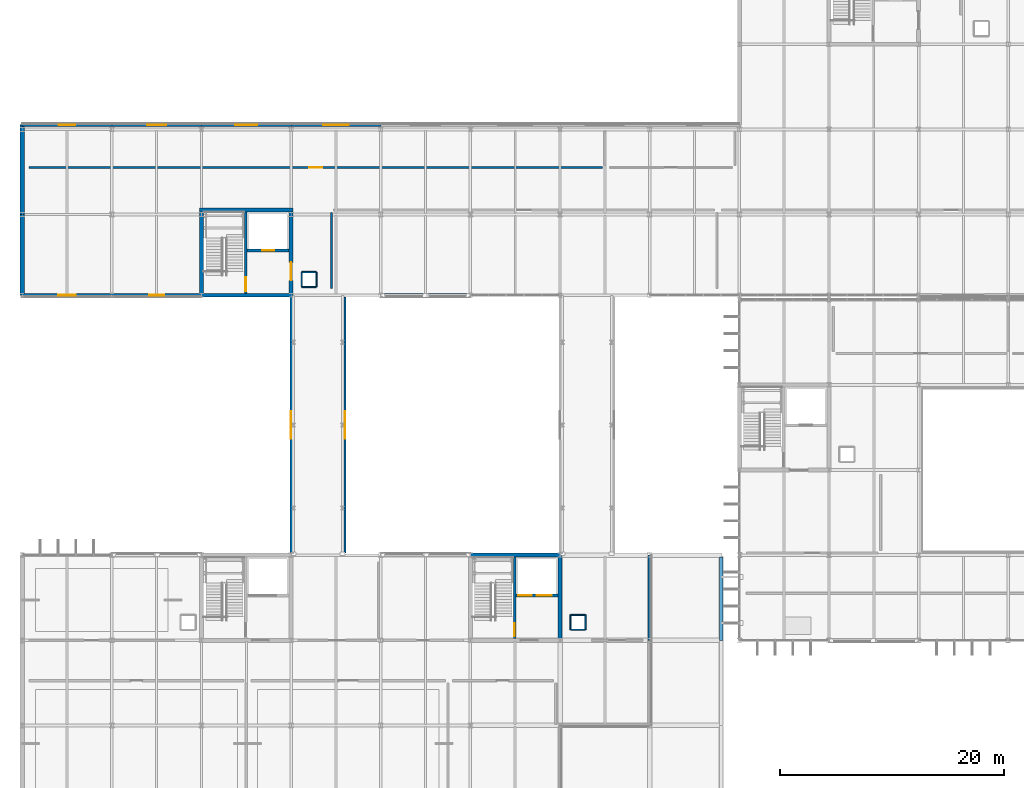
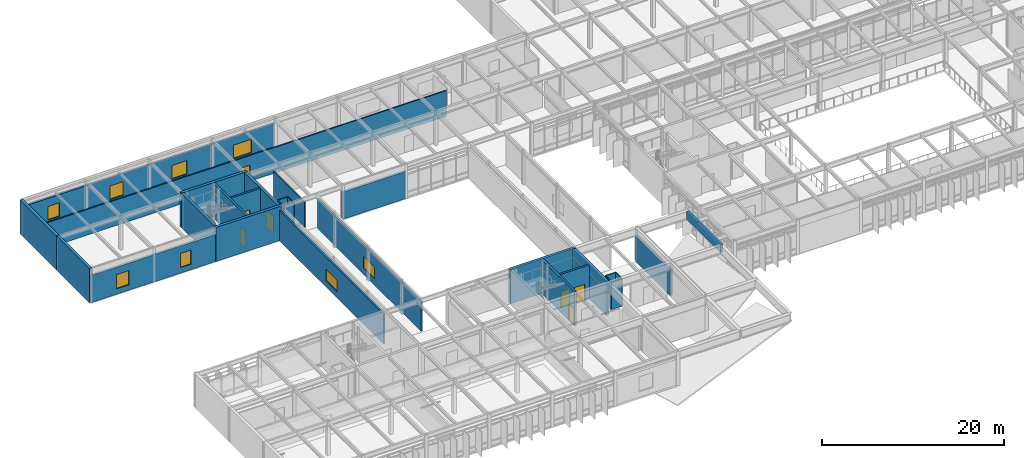
# One storey, part 80 of 104: 33 walls, 8 windows, 7 doors, 15 openings.
"""IFC4 building model written with IfcOpenShell, lengths in metres."""

from ifc_helpers import new_model, si_unit, direction, frame, frame_2d, origin, place, context, subcontext, project, spatial, rectangle, extrude, material, layer, layer_set, type_object, element, fill, save


model = new_model("IFC4")

# Units and contexts
model_context = context("Model", 3, precision=1e-05, world=origin(), true_north=direction((0.0, 1.0)))
body_context = subcontext(model_context, "Body", "Model", "MODEL_VIEW")
ifc_project = project(units=[si_unit("LENGTHUNIT", "METRE"), si_unit("AREAUNIT", "SQUARE_METRE"), si_unit("VOLUMEUNIT", "CUBIC_METRE"), si_unit("PLANEANGLEUNIT", "RADIAN"), si_unit("MASSUNIT", "GRAM", prefix="KILO")], contexts=[model_context])

# Site, building, storey
site_placement = place(None, origin())
site = spatial("IfcSite", under=ifc_project, at=site_placement, CompositionType="ELEMENT")
building_placement = place(site_placement, origin())
building = spatial("IfcBuilding", under=site, at=building_placement, Name="Zulena Civic Courthouse", CompositionType="ELEMENT")
storey_placement = place(building_placement, frame((0.0, 0.0, 10.800048828125)))
storey = spatial("IfcBuildingStorey", under=building, at=storey_placement, Name="L02", CompositionType="ELEMENT", Elevation=10.800048828125)

# Wall, opening, window
ifc_material_1 = material(Name="Travertine-cream architectural precast concrete C40/50", Category="masonry")
ifc_layer_1 = layer(ifc_material_1, 0.205078125)
ifc_layer_set_1 = layer_set([ifc_layer_1], Name="Travertine-cream architectural precast concrete C40/50")
wall_type_1 = type_object("IfcWallType", Name="BridgeWall_GlazedScreen_205", PredefinedType="STANDARD", material=ifc_layer_set_1)
wall_1_placement = place(storey_placement, frame((28.0, 22.97998046875, 0.0), z_axis=(0.0, 0.0, 1.0), x_axis=(0.0, 1.0, 0.0)))
wall_1 = element("IfcWall", 1, at=wall_1_placement, inside=storey, type_object=wall_type_1, Name="ewall:bridge:BR-52J:L02:W", PredefinedType="STANDARD", context=body_context, shape_type="SweptSolid", body=[
    extrude(rectangle(XDim=22.840087890625, YDim=0.205078125, at=frame_2d((11.419921875, 0.0))), origin(), (0.0, 0.0, 1.0), 4.02001953125),
])
opening_1_placement = place(wall_1_placement, frame((10.195068359375, 0.0, 0.85009765625)))
opening_1 = element("IfcOpeningElement", 2, at=opening_1_placement, cuts=wall_1, Name="Opening WN27", PredefinedType="OPENING", context=body_context, shape_type="SweptSolid", body=[
    extrude(rectangle(XDim=2.449951171875, YDim=1.550048828125, at=frame_2d((1.22509765625, 0.77490234375))), frame((0.0, 0.112548828125, 0.0), z_axis=(0.0, -1.0, 0.0), x_axis=(1.0, 0.0, 0.0)), (0.0, 0.0, 1.0), 0.22509765625),
])
ifc_material_2 = material(Name="Double-silver low-E laminated solar-control glass", Category="glass")
window_type_1 = type_object("IfcWindowType", Name="Win_2450x1550", PartitioningType="DOUBLE_PANEL_VERTICAL", PredefinedType="WINDOW", material=ifc_material_2)
window_1_placement = place(opening_1_placement, origin())
window_1 = element("IfcWindow", 3, at=window_1_placement, inside=storey, type_object=window_type_1, Name="win:bridge:BR-52J:L02:W", OverallHeight=1.550048828125, OverallWidth=2.449951171875, PartitioningType="SINGLE_PANEL", PredefinedType="WINDOW", context=body_context, shape_type="SweptSolid", body=[
    extrude(rectangle(XDim=2.449951171875, YDim=1.550048828125, at=frame_2d((1.22509765625, 0.77490234375))), frame((0.0, 0.030029296875, 0.0), z_axis=(0.0, -1.0, 0.0), x_axis=(1.0, 0.0, 0.0)), (0.0, 0.0, 1.0), 0.06005859375),
])
fill(opening_1, window_1)

wall_2_placement = place(storey_placement, frame((32.800048828125, 45.820068359375, 0.0), z_axis=(0.0, 0.0, 1.0), x_axis=(0.0, -1.0, 0.0)))
wall_2 = element("IfcWall", 4, at=wall_2_placement, inside=storey, type_object=wall_type_1, Name="ewall:bridge:BR-52J:L02:E", PredefinedType="STANDARD", context=body_context, shape_type="SweptSolid", body=[
    extrude(rectangle(XDim=22.840087890625, YDim=0.205078125, at=frame_2d((11.419921875, 0.0))), origin(), (0.0, 0.0, 1.0), 4.02001953125),
])
opening_2_placement = place(wall_2_placement, frame((10.195068359375, 0.0, 0.85009765625)))
opening_2 = element("IfcOpeningElement", 5, at=opening_2_placement, cuts=wall_2, Name="Opening WN27", PredefinedType="OPENING", context=body_context, shape_type="SweptSolid", body=[
    extrude(rectangle(XDim=2.449951171875, YDim=1.550048828125, at=frame_2d((1.22509765625, 0.77490234375))), frame((0.0, 0.112548828125, 0.0), z_axis=(0.0, -1.0, 0.0), x_axis=(1.0, 0.0, 0.0)), (0.0, 0.0, 1.0), 0.22509765625),
])
window_2_placement = place(opening_2_placement, origin())
window_2 = element("IfcWindow", 6, at=window_2_placement, inside=storey, type_object=window_type_1, Name="win:bridge:BR-52J:L02:E", OverallHeight=1.550048828125, OverallWidth=2.449951171875, PartitioningType="SINGLE_PANEL", PredefinedType="WINDOW", context=body_context, shape_type="SweptSolid", body=[
    extrude(rectangle(XDim=2.449951171875, YDim=1.550048828125, at=frame_2d((1.22509765625, 0.77490234375))), frame((0.0, 0.030029296875, 0.0), z_axis=(0.0, -1.0, 0.0), x_axis=(1.0, 0.0, 0.0)), (0.0, 0.0, 1.0), 0.06005859375),
])
fill(opening_2, window_2)

# Wall, opening, door
ifc_material_3 = material(Name="Concrete C40/50", Category="concrete")
ifc_layer_2 = layer(ifc_material_3, 0.25)
ifc_layer_set_2 = layer_set([ifc_layer_2], Name="Concrete C40/50")
wall_type_2 = type_object("IfcWallType", Name="CoreShearWall_RC250", PredefinedType="SHEAR", material=ifc_layer_set_2)
wall_3_placement = place(storey_placement, frame((47.949951171875, 15.375, 0.0), z_axis=(0.0, 0.0, 1.0), x_axis=(0.0, 1.0, 0.0)))
wall_3 = element("IfcWall", 7, at=wall_3_placement, inside=storey, type_object=wall_type_2, Name="cwall:K2B:L02:DIV", PredefinedType="SHEAR", context=body_context, shape_type="SweptSolid", body=[
    extrude(rectangle(XDim=7.25, YDim=0.25, at=frame_2d((3.625, 0.0))), origin(), (0.0, 0.0, 1.0), 4.58984375),
])
opening_3_placement = place(wall_3_placement, frame((0.179931640625, 0.0, 0.0)))
opening_3 = element("IfcOpeningElement", 8, at=opening_3_placement, cuts=wall_3, Name="Opening ID08", PredefinedType="OPENING", context=body_context, shape_type="SweptSolid", body=[
    extrude(rectangle(XDim=1.14990234375, YDim=2.199951171875, at=frame_2d((0.574951171875, 1.10009765625))), frame((0.0, 0.135009765625, 0.0), z_axis=(0.0, -1.0, 0.0), x_axis=(1.0, 0.0, 0.0)), (0.0, 0.0, 1.0), 0.27001953125),
])
ifc_material_4 = material(Name="Fire-rated galvanised steel ASTM A653 Grade 50", Category="steel")
door_type_1 = type_object("IfcDoorType", Name="IntDoor_Stair_1150x2200", OperationType="NOTDEFINED", PredefinedType="DOOR", material=ifc_material_4)
door_1_placement = place(opening_3_placement, origin())
door_1 = element("IfcDoor", 9, at=door_1_placement, inside=storey, type_object=door_type_1, Name="door:stair:K2B:L02", OperationType="SINGLE_SWING_LEFT", OverallHeight=2.199951171875, OverallWidth=1.14990234375, PredefinedType="DOOR", context=body_context, shape_type="SweptSolid", body=[
    extrude(rectangle(XDim=1.14990234375, YDim=2.199951171875, at=frame_2d((0.574951171875, 1.10009765625))), frame((0.0, 0.02490234375, 0.0), z_axis=(0.0, -1.0, 0.0), x_axis=(1.0, 0.0, 0.0)), (0.0, 0.0, 1.0), 0.050048828125),
])
fill(opening_3, door_1)

# Wall, openings, doors
wall_4_placement = place(storey_placement, frame((48.074951171875, 19.199951171875, 0.0), z_axis=(0.0, 0.0, 1.0), x_axis=(1.0, 0.0, 0.0)))
wall_4 = element("IfcWall", 10, at=wall_4_placement, inside=storey, type_object=wall_type_2, Name="cwall:K2B:L02:SHF", PredefinedType="SHEAR", context=body_context, shape_type="SweptSolid", body=[
    extrude(rectangle(XDim=3.75, YDim=0.25, at=frame_2d((1.875, 0.0))), origin(), (0.0, 0.0, 1.0), 4.58984375),
])
opening_4_placement = place(wall_4_placement, frame((0.179931640625, 0.0, 0.0)))
opening_4 = element("IfcOpeningElement", 11, at=opening_4_placement, cuts=wall_4, Name="Opening LD01", PredefinedType="OPENING", context=body_context, shape_type="SweptSolid", body=[
    extrude(rectangle(XDim=1.199951171875, YDim=2.199951171875, at=frame_2d((0.60009765625, 1.10009765625))), frame((0.0, 0.135009765625, 0.0), z_axis=(0.0, -1.0, 0.0), x_axis=(1.0, 0.0, 0.0)), (0.0, 0.0, 1.0), 0.27001953125),
])
opening_5_placement = place(wall_4_placement, frame((1.85009765625, 0.0, 0.0)))
opening_5 = element("IfcOpeningElement", 12, at=opening_5_placement, cuts=wall_4, Name="Opening LD04", PredefinedType="OPENING", context=body_context, shape_type="SweptSolid", body=[
    extrude(rectangle(XDim=1.35009765625, YDim=2.199951171875, at=frame_2d((0.675048828125, 1.10009765625))), frame((0.0, 0.135009765625, 0.0), z_axis=(0.0, -1.0, 0.0), x_axis=(1.0, 0.0, 0.0)), (0.0, 0.0, 1.0), 0.27001953125),
])
door_type_2 = type_object("IfcDoorType", Name="LiftLandingDoor_FF_1200x2200", OperationType="SLIDING_TO_LEFT", PredefinedType="DOOR", material=ifc_material_4)
door_2_placement = place(opening_4_placement, origin())
door_2 = element("IfcDoor", 13, at=door_2_placement, inside=storey, type_object=door_type_2, Name="door:ld:FL-02:L02", OperationType="SLIDING_TO_LEFT", OverallHeight=2.199951171875, OverallWidth=1.199951171875, PredefinedType="DOOR", context=body_context, shape_type="SweptSolid", body=[
    extrude(rectangle(XDim=1.199951171875, YDim=2.199951171875, at=frame_2d((0.60009765625, 1.10009765625))), frame((0.0, 0.02490234375, 0.0), z_axis=(0.0, -1.0, 0.0), x_axis=(1.0, 0.0, 0.0)), (0.0, 0.0, 1.0), 0.050048828125),
])
fill(opening_4, door_2)
door_type_3 = type_object("IfcDoorType", Name="LiftLandingDoor_Goods_1350x2300", OperationType="DOUBLE_DOOR_SLIDING", PredefinedType="DOOR", material=ifc_material_4)
door_3_placement = place(opening_5_placement, origin())
door_3 = element("IfcDoor", 14, at=door_3_placement, inside=storey, type_object=door_type_3, Name="door:ld:CL-01:L02", OperationType="DOUBLE_DOOR_SLIDING", OverallHeight=2.199951171875, OverallWidth=1.35009765625, PredefinedType="DOOR", context=body_context, shape_type="SweptSolid", body=[
    extrude(rectangle(XDim=1.35009765625, YDim=2.199951171875, at=frame_2d((0.675048828125, 1.10009765625))), frame((0.0, 0.02490234375, 0.0), z_axis=(0.0, -1.0, 0.0), x_axis=(1.0, 0.0, 0.0)), (0.0, 0.0, 1.0), 0.050048828125),
])
fill(opening_5, door_3)

# Wall, opening, door
wall_5_placement = place(storey_placement, frame((23.949951171875, 46.175048828125, 0.0), z_axis=(0.0, 0.0, 1.0), x_axis=(0.0, 1.0, 0.0)))
wall_5 = element("IfcWall", 15, at=wall_5_placement, inside=storey, type_object=wall_type_2, Name="cwall:K5A:L02:DIV", PredefinedType="SHEAR", context=body_context, shape_type="SweptSolid", body=[
    extrude(rectangle(XDim=7.25, YDim=0.25, at=frame_2d((3.625, 0.0))), origin(), (0.0, 0.0, 1.0), 4.58984375),
])
opening_6_placement = place(wall_5_placement, frame((0.179931640625, 0.0, 0.0)))
opening_6 = element("IfcOpeningElement", 16, at=opening_6_placement, cuts=wall_5, Name="Opening ID06", PredefinedType="OPENING", context=body_context, shape_type="SweptSolid", body=[
    extrude(rectangle(XDim=1.25, YDim=2.199951171875, at=frame_2d((0.625, 1.10009765625))), frame((0.0, 0.135009765625, 0.0), z_axis=(0.0, -1.0, 0.0), x_axis=(1.0, 0.0, 0.0)), (0.0, 0.0, 1.0), 0.27001953125),
])
door_type_4 = type_object("IfcDoorType", Name="IntDoor_Stair_1250x2200", OperationType="NOTDEFINED", PredefinedType="DOOR", material=ifc_material_4)
door_4_placement = place(opening_6_placement, origin())
door_4 = element("IfcDoor", 17, at=door_4_placement, inside=storey, type_object=door_type_4, Name="door:stair:K5A:L02", OperationType="SINGLE_SWING_RIGHT", OverallHeight=2.199951171875, OverallWidth=1.25, PredefinedType="DOOR", context=body_context, shape_type="SweptSolid", body=[
    extrude(rectangle(XDim=1.25, YDim=2.199951171875, at=frame_2d((0.625, 1.10009765625))), frame((0.0, 0.02490234375, 0.0), z_axis=(0.0, -1.0, 0.0), x_axis=(1.0, 0.0, 0.0)), (0.0, 0.0, 1.0), 0.050048828125),
])
fill(opening_6, door_4)

wall_6_placement = place(storey_placement, frame((24.074951171875, 50.0, 0.0), z_axis=(0.0, 0.0, 1.0), x_axis=(1.0, 0.0, 0.0)))
wall_6 = element("IfcWall", 18, at=wall_6_placement, inside=storey, type_object=wall_type_2, Name="cwall:K5A:L02:SHF", PredefinedType="SHEAR", context=body_context, shape_type="SweptSolid", body=[
    extrude(rectangle(XDim=3.75, YDim=0.25, at=frame_2d((1.875, 0.0))), origin(), (0.0, 0.0, 1.0), 4.58984375),
])
opening_7_placement = place(wall_6_placement, frame((1.344970703125, 0.0, 0.0)))
opening_7 = element("IfcOpeningElement", 19, at=opening_7_placement, cuts=wall_6, Name="Opening LD03", PredefinedType="OPENING", context=body_context, shape_type="SweptSolid", body=[
    extrude(rectangle(XDim=1.050048828125, YDim=2.199951171875, at=frame_2d((0.52490234375, 1.10009765625))), frame((0.0, 0.135009765625, 0.0), z_axis=(0.0, -1.0, 0.0), x_axis=(1.0, 0.0, 0.0)), (0.0, 0.0, 1.0), 0.27001953125),
])
door_type_5 = type_object("IfcDoorType", Name="LiftLandingDoor_Jud_1050x2200", OperationType="SLIDING_TO_RIGHT", PredefinedType="DOOR", material=ifc_material_4)
door_5_placement = place(opening_7_placement, origin())
door_5 = element("IfcDoor", 20, at=door_5_placement, inside=storey, type_object=door_type_5, Name="door:ld:JL-02:L02", OperationType="SLIDING_TO_RIGHT", OverallHeight=2.199951171875, OverallWidth=1.050048828125, PredefinedType="DOOR", context=body_context, shape_type="SweptSolid", body=[
    extrude(rectangle(XDim=1.050048828125, YDim=2.199951171875, at=frame_2d((0.52490234375, 1.10009765625))), frame((0.0, 0.02490234375, 0.0), z_axis=(0.0, -1.0, 0.0), x_axis=(1.0, 0.0, 0.0)), (0.0, 0.0, 1.0), 0.050048828125),
])
fill(opening_7, door_5)

# Walls
ifc_layer_3 = layer(ifc_material_3, 0.35009765625)
ifc_layer_set_3 = layer_set([ifc_layer_3], Name="Concrete C40/50")
wall_type_3 = type_object("IfcWallType", Name="CoreShearWall_RC350", PredefinedType="SHEAR", material=ifc_layer_set_3)
wall_7_placement = place(storey_placement, frame((43.824951171875, 22.800048828125, 0.0), z_axis=(0.0, 0.0, 1.0), x_axis=(1.0, 0.0, 0.0)))
element("IfcWall", 21, at=wall_7_placement, inside=storey, type_object=wall_type_3, Name="cwall:K2B:L02:N", PredefinedType="SHEAR", context=body_context, shape_type="SweptSolid", body=[
    extrude(rectangle(XDim=8.35009765625, YDim=0.35009765625, at=frame_2d((4.175048828125, 0.0))), origin(), (0.0, 0.0, 1.0), 4.58984375),
])
wall_8_placement = place(storey_placement, frame((52.0, 15.375, 0.0), z_axis=(0.0, 0.0, 1.0), x_axis=(0.0, 1.0, 0.0)))
element("IfcWall", 22, at=wall_8_placement, inside=storey, type_object=wall_type_3, Name="cwall:K2B:L02:E", PredefinedType="SHEAR", context=body_context, shape_type="SweptSolid", body=[
    extrude(rectangle(XDim=7.25, YDim=0.35009765625, at=frame_2d((3.625, 0.0))), origin(), (0.0, 0.0, 1.0), 4.58984375),
])
for number, where, z_axis, x_axis, name in (
    (23, (19.824951171875, 46.0, 0.0), (0.0, 0.0, 1.0), (1.0, 0.0, 0.0), "cwall:K5A:L02:S"),
    (24, (19.824951171875, 53.60009765625, 0.0), (0.0, 0.0, 1.0), (1.0, 0.0, 0.0), "cwall:K5A:L02:N"),
):
    element("IfcWall", number, at=place(storey_placement, frame(where, z_axis=z_axis, x_axis=x_axis)), inside=storey, type_object=wall_type_3, Name=name, PredefinedType="SHEAR", context=body_context, shape_type="SweptSolid", body=[
        extrude(rectangle(XDim=8.35009765625, YDim=0.35009765625, at=frame_2d((4.175048828125, 0.0))), origin(), (0.0, 0.0, 1.0), 4.58984375),
    ])
wall_9_placement = place(storey_placement, frame((20.0, 46.175048828125, 0.0), z_axis=(0.0, 0.0, 1.0), x_axis=(0.0, 1.0, 0.0)))
element("IfcWall", 25, at=wall_9_placement, inside=storey, type_object=wall_type_3, Name="cwall:K5A:L02:W", PredefinedType="SHEAR", context=body_context, shape_type="SweptSolid", body=[
    extrude(rectangle(XDim=7.25, YDim=0.35009765625, at=frame_2d((3.625, 0.0))), origin(), (0.0, 0.0, 1.0), 4.58984375),
])

# Wall, opening, door
wall_10_placement = place(storey_placement, frame((28.0, 46.175048828125, 0.0), z_axis=(0.0, 0.0, 1.0), x_axis=(0.0, 1.0, 0.0)))
wall_10 = element("IfcWall", 26, at=wall_10_placement, inside=storey, type_object=wall_type_3, Name="cwall:K5A:L02:E", PredefinedType="SHEAR", context=body_context, shape_type="SweptSolid", body=[
    extrude(rectangle(XDim=7.25, YDim=0.35009765625, at=frame_2d((3.625, 0.0))), origin(), (0.0, 0.0, 1.0), 4.58984375),
])
opening_8_placement = place(wall_10_placement, frame((1.14990234375, 0.0, 0.0)))
opening_8 = element("IfcOpeningElement", 27, at=opening_8_placement, cuts=wall_10, Name="Opening ID04", PredefinedType="OPENING", context=body_context, shape_type="SweptSolid", body=[
    extrude(rectangle(XDim=1.60009765625, YDim=2.35009765625, at=frame_2d((0.800048828125, 1.175048828125))), frame((0.0, 0.18505859375, 0.0), z_axis=(0.0, -1.0, 0.0), x_axis=(1.0, 0.0, 0.0)), (0.0, 0.0, 1.0), 0.3701171875),
])
ifc_material_5 = material(Name="Solid-core acoustic hardwood timber", Category="wood")
door_type_6 = type_object("IfcDoorType", Name="IntDoor_CourtPublic_1600x2350", OperationType="DOUBLE_DOOR_SINGLE_SWING", PredefinedType="DOOR", material=ifc_material_5)
door_6_placement = place(opening_8_placement, origin())
door_6 = element("IfcDoor", 28, at=door_6_placement, inside=storey, type_object=door_type_6, Name="door:corelob:K5A:L02", OperationType="DOUBLE_DOOR_SINGLE_SWING", OverallHeight=2.35009765625, OverallWidth=1.60009765625, PredefinedType="DOOR", context=body_context, shape_type="SweptSolid", body=[
    extrude(rectangle(XDim=1.60009765625, YDim=2.35009765625, at=frame_2d((0.800048828125, 1.175048828125))), frame((0.0, 0.02490234375, 0.0), z_axis=(0.0, -1.0, 0.0), x_axis=(1.0, 0.0, 0.0)), (0.0, 0.0, 1.0), 0.050048828125),
])
fill(opening_8, door_6)

# Wall, opening, window
ifc_material_6 = material(Name="Buff architectural precast concrete C40/50", Category="concrete")
ifc_layer_4 = layer(ifc_material_6, 0.264892578125)
ifc_layer_set_4 = layer_set([ifc_layer_4], Name="Buff architectural precast concrete C40/50")
wall_type_4 = type_object("IfcWallType", Name="ExtWall_BuffPrecast_265", PredefinedType="STANDARD", material=ifc_layer_set_4)
wall_11_placement = place(storey_placement, frame((3.97998046875, 61.199951171875, 0.0), z_axis=(0.0, 0.0, 1.0), x_axis=(1.0, 0.0, 0.0)))
wall_11 = element("IfcWall", 29, at=wall_11_placement, inside=storey, type_object=wall_type_4, Name="ewall:V5:L02:1:0", PredefinedType="STANDARD", context=body_context, shape_type="SweptSolid", body=[
    extrude(rectangle(XDim=8.0400390625, YDim=0.264892578125, at=frame_2d((4.02001953125, 0.0))), origin(), (0.0, 0.0, 1.0), 3.659912109375),
])
opening_9_placement = place(wall_11_placement, frame((3.294921875, 0.0, 0.75)))
opening_9 = element("IfcOpeningElement", 30, at=opening_9_placement, cuts=wall_11, Name="Opening WN17", PredefinedType="OPENING", context=body_context, shape_type="SweptSolid", body=[
    extrude(rectangle(XDim=1.449951171875, YDim=1.800048828125, at=frame_2d((0.72509765625, 0.89990234375))), frame((0.0, 0.142333984375, 0.0), z_axis=(0.0, -1.0, 0.0), x_axis=(1.0, 0.0, 0.0)), (0.0, 0.0, 1.0), 0.284912109375),
])
window_type_2 = type_object("IfcWindowType", Name="Win_1450x1800", PartitioningType="SINGLE_PANEL", PredefinedType="WINDOW", material=ifc_material_2)
window_3_placement = place(opening_9_placement, origin())
window_3 = element("IfcWindow", 31, at=window_3_placement, inside=storey, type_object=window_type_2, Name="win:V5:L02:1:0", OverallHeight=1.800048828125, OverallWidth=1.449951171875, PartitioningType="SINGLE_PANEL", PredefinedType="WINDOW", context=body_context, shape_type="SweptSolid", body=[
    extrude(rectangle(XDim=1.449951171875, YDim=1.800048828125, at=frame_2d((0.72509765625, 0.89990234375))), frame((0.0, 0.030029296875, 0.0), z_axis=(0.0, -1.0, 0.0), x_axis=(1.0, 0.0, 0.0)), (0.0, 0.0, 1.0), 0.06005859375),
])
fill(opening_9, window_3)

wall_12_placement = place(storey_placement, frame((11.97998046875, 61.199951171875, 0.0), z_axis=(0.0, 0.0, 1.0), x_axis=(1.0, 0.0, 0.0)))
wall_12 = element("IfcWall", 32, at=wall_12_placement, inside=storey, type_object=wall_type_4, Name="ewall:V5:L02:1:1", PredefinedType="STANDARD", context=body_context, shape_type="SweptSolid", body=[
    extrude(rectangle(XDim=8.0400390625, YDim=0.264892578125, at=frame_2d((4.02001953125, 0.0))), origin(), (0.0, 0.0, 1.0), 3.659912109375),
])
opening_10_placement = place(wall_12_placement, frame((3.169921875, 0.0, 0.75)))
opening_10 = element("IfcOpeningElement", 33, at=opening_10_placement, cuts=wall_12, Name="Opening WN18", PredefinedType="OPENING", context=body_context, shape_type="SweptSolid", body=[
    extrude(rectangle(XDim=1.699951171875, YDim=1.800048828125, at=frame_2d((0.85009765625, 0.89990234375))), frame((0.0, 0.142333984375, 0.0), z_axis=(0.0, -1.0, 0.0), x_axis=(1.0, 0.0, 0.0)), (0.0, 0.0, 1.0), 0.284912109375),
])
window_type_3 = type_object("IfcWindowType", Name="Win_1700x1800", PartitioningType="SINGLE_PANEL", PredefinedType="WINDOW", material=ifc_material_2)
window_4_placement = place(opening_10_placement, origin())
window_4 = element("IfcWindow", 34, at=window_4_placement, inside=storey, type_object=window_type_3, Name="win:V5:L02:1:1", OverallHeight=1.800048828125, OverallWidth=1.699951171875, PartitioningType="SINGLE_PANEL", PredefinedType="WINDOW", context=body_context, shape_type="SweptSolid", body=[
    extrude(rectangle(XDim=1.699951171875, YDim=1.800048828125, at=frame_2d((0.85009765625, 0.89990234375))), frame((0.0, 0.030029296875, 0.0), z_axis=(0.0, -1.0, 0.0), x_axis=(1.0, 0.0, 0.0)), (0.0, 0.0, 1.0), 0.06005859375),
])
fill(opening_10, window_4)

wall_13_placement = place(storey_placement, frame((19.97998046875, 61.199951171875, 0.0), z_axis=(0.0, 0.0, 1.0), x_axis=(1.0, 0.0, 0.0)))
wall_13 = element("IfcWall", 35, at=wall_13_placement, inside=storey, type_object=wall_type_4, Name="ewall:V5:L02:1:2", PredefinedType="STANDARD", context=body_context, shape_type="SweptSolid", body=[
    extrude(rectangle(XDim=8.0400390625, YDim=0.264892578125, at=frame_2d((4.02001953125, 0.0))), origin(), (0.0, 0.0, 1.0), 3.659912109375),
])
opening_11_placement = place(wall_13_placement, frame((3.044921875, 0.0, 0.75)))
opening_11 = element("IfcOpeningElement", 36, at=opening_11_placement, cuts=wall_13, Name="Opening WN19", PredefinedType="OPENING", context=body_context, shape_type="SweptSolid", body=[
    extrude(rectangle(XDim=1.949951171875, YDim=1.800048828125, at=frame_2d((0.97509765625, 0.89990234375))), frame((0.0, 0.142333984375, 0.0), z_axis=(0.0, -1.0, 0.0), x_axis=(1.0, 0.0, 0.0)), (0.0, 0.0, 1.0), 0.284912109375),
])
window_type_4 = type_object("IfcWindowType", Name="Win_1950x1800", PartitioningType="DOUBLE_PANEL_VERTICAL", PredefinedType="WINDOW", material=ifc_material_2)
window_5_placement = place(opening_11_placement, origin())
window_5 = element("IfcWindow", 37, at=window_5_placement, inside=storey, type_object=window_type_4, Name="win:V5:L02:1:2", OverallHeight=1.800048828125, OverallWidth=1.949951171875, PartitioningType="SINGLE_PANEL", PredefinedType="WINDOW", context=body_context, shape_type="SweptSolid", body=[
    extrude(rectangle(XDim=1.949951171875, YDim=1.800048828125, at=frame_2d((0.97509765625, 0.89990234375))), frame((0.0, 0.030029296875, 0.0), z_axis=(0.0, -1.0, 0.0), x_axis=(1.0, 0.0, 0.0)), (0.0, 0.0, 1.0), 0.06005859375),
])
fill(opening_11, window_5)

wall_14_placement = place(storey_placement, frame((27.97998046875, 61.199951171875, 0.0), z_axis=(0.0, 0.0, 1.0), x_axis=(1.0, 0.0, 0.0)))
wall_14 = element("IfcWall", 38, at=wall_14_placement, inside=storey, type_object=wall_type_4, Name="ewall:V5:L02:1:3", PredefinedType="STANDARD", context=body_context, shape_type="SweptSolid", body=[
    extrude(rectangle(XDim=8.0400390625, YDim=0.264892578125, at=frame_2d((4.02001953125, 0.0))), origin(), (0.0, 0.0, 1.0), 3.659912109375),
])
opening_12_placement = place(wall_14_placement, frame((2.8701171875, 0.0, 0.75)))
opening_12 = element("IfcOpeningElement", 39, at=opening_12_placement, cuts=wall_14, Name="Opening WN20", PredefinedType="OPENING", context=body_context, shape_type="SweptSolid", body=[
    extrude(rectangle(XDim=2.300048828125, YDim=1.800048828125, at=frame_2d((1.14990234375, 0.89990234375))), frame((0.0, 0.142333984375, 0.0), z_axis=(0.0, -1.0, 0.0), x_axis=(1.0, 0.0, 0.0)), (0.0, 0.0, 1.0), 0.284912109375),
])
window_type_5 = type_object("IfcWindowType", Name="Win_2300x1800", PartitioningType="DOUBLE_PANEL_VERTICAL", PredefinedType="WINDOW", material=ifc_material_2)
window_6_placement = place(opening_12_placement, origin())
window_6 = element("IfcWindow", 40, at=window_6_placement, inside=storey, type_object=window_type_5, Name="win:V5:L02:1:3", OverallHeight=1.800048828125, OverallWidth=2.300048828125, PartitioningType="SINGLE_PANEL", PredefinedType="WINDOW", context=body_context, shape_type="SweptSolid", body=[
    extrude(rectangle(XDim=2.300048828125, YDim=1.800048828125, at=frame_2d((1.14990234375, 0.89990234375))), frame((0.0, 0.030029296875, 0.0), z_axis=(0.0, -1.0, 0.0), x_axis=(1.0, 0.0, 0.0)), (0.0, 0.0, 1.0), 0.06005859375),
])
fill(opening_12, window_6)

# Wall
wall_15_placement = place(storey_placement, frame((44.02001953125, 46.0, 0.0), z_axis=(0.0, 0.0, 1.0), x_axis=(-1.0, 0.0, 0.0)))
element("IfcWall", 41, at=wall_15_placement, inside=storey, type_object=wall_type_4, Name="ewall:V5:L02:5:8", PredefinedType="STANDARD", context=body_context, shape_type="SweptSolid", body=[
    extrude(rectangle(XDim=8.0400390625, YDim=0.264892578125, at=frame_2d((4.02001953125, 0.0))), origin(), (0.0, 0.0, 1.0), 3.659912109375),
])

# Wall, opening, window
wall_16_placement = place(storey_placement, frame((20.02001953125, 46.0, 0.0), z_axis=(0.0, 0.0, 1.0), x_axis=(-1.0, 0.0, 0.0)))
wall_16 = element("IfcWall", 42, at=wall_16_placement, inside=storey, type_object=wall_type_4, Name="ewall:V5:L02:5:11", PredefinedType="STANDARD", context=body_context, shape_type="SweptSolid", body=[
    extrude(rectangle(XDim=8.0400390625, YDim=0.264892578125, at=frame_2d((4.02001953125, 0.0))), origin(), (0.0, 0.0, 1.0), 3.659912109375),
])
opening_13_placement = place(wall_16_placement, frame((3.344970703125, 0.0, 0.75)))
opening_13 = element("IfcOpeningElement", 43, at=opening_13_placement, cuts=wall_16, Name="Opening WN35", PredefinedType="OPENING", context=body_context, shape_type="SweptSolid", body=[
    extrude(rectangle(XDim=1.35009765625, YDim=1.89990234375, at=frame_2d((0.675048828125, 0.949951171875))), frame((0.0, 0.142333984375, 0.0), z_axis=(0.0, -1.0, 0.0), x_axis=(1.0, 0.0, 0.0)), (0.0, 0.0, 1.0), 0.284912109375),
])
window_type_6 = type_object("IfcWindowType", Name="Win_1350x1900", PartitioningType="SINGLE_PANEL", PredefinedType="WINDOW", material=ifc_material_2)
window_7_placement = place(opening_13_placement, origin())
window_7 = element("IfcWindow", 44, at=window_7_placement, inside=storey, type_object=window_type_6, Name="win:V5:L02:5:11", OverallHeight=1.89990234375, OverallWidth=1.35009765625, PartitioningType="SINGLE_PANEL", PredefinedType="WINDOW", context=body_context, shape_type="SweptSolid", body=[
    extrude(rectangle(XDim=1.35009765625, YDim=1.89990234375, at=frame_2d((0.675048828125, 0.949951171875))), frame((0.0, 0.030029296875, 0.0), z_axis=(0.0, -1.0, 0.0), x_axis=(1.0, 0.0, 0.0)), (0.0, 0.0, 1.0), 0.06005859375),
])
fill(opening_13, window_7)

wall_17_placement = place(storey_placement, frame((12.02001953125, 46.0, 0.0), z_axis=(0.0, 0.0, 1.0), x_axis=(-1.0, 0.0, 0.0)))
wall_17 = element("IfcWall", 45, at=wall_17_placement, inside=storey, type_object=wall_type_4, Name="ewall:V5:L02:5:12", PredefinedType="STANDARD", context=body_context, shape_type="SweptSolid", body=[
    extrude(rectangle(XDim=8.0400390625, YDim=0.264892578125, at=frame_2d((4.02001953125, 0.0))), origin(), (0.0, 0.0, 1.0), 3.659912109375),
])
opening_14_placement = place(wall_17_placement, frame((3.2451171875, 0.0, 0.75)))
opening_14 = element("IfcOpeningElement", 46, at=opening_14_placement, cuts=wall_17, Name="Opening WN36", PredefinedType="OPENING", context=body_context, shape_type="SweptSolid", body=[
    extrude(rectangle(XDim=1.550048828125, YDim=1.89990234375, at=frame_2d((0.77490234375, 0.949951171875))), frame((0.0, 0.142333984375, 0.0), z_axis=(0.0, -1.0, 0.0), x_axis=(1.0, 0.0, 0.0)), (0.0, 0.0, 1.0), 0.284912109375),
])
window_type_7 = type_object("IfcWindowType", Name="Win_1550x1900", PartitioningType="SINGLE_PANEL", PredefinedType="WINDOW", material=ifc_material_2)
window_8_placement = place(opening_14_placement, origin())
window_8 = element("IfcWindow", 47, at=window_8_placement, inside=storey, type_object=window_type_7, Name="win:V5:L02:5:12", OverallHeight=1.89990234375, OverallWidth=1.550048828125, PartitioningType="SINGLE_PANEL", PredefinedType="WINDOW", context=body_context, shape_type="SweptSolid", body=[
    extrude(rectangle(XDim=1.550048828125, YDim=1.89990234375, at=frame_2d((0.77490234375, 0.949951171875))), frame((0.0, 0.030029296875, 0.0), z_axis=(0.0, -1.0, 0.0), x_axis=(1.0, 0.0, 0.0)), (0.0, 0.0, 1.0), 0.06005859375),
])
fill(opening_14, window_8)

# Walls
ifc_layer_5 = layer(ifc_material_3, 0.360107421875)
ifc_layer_set_5 = layer_set([ifc_layer_5], Name="Concrete C40/50")
wall_type_5 = type_object("IfcWallType", Name="ExtWall_PartyWall_360", PredefinedType="STANDARD", material=ifc_layer_set_5)
wall_18_placement = place(storey_placement, frame((4.0, 45.97998046875, 0.0), z_axis=(0.0, 0.0, 1.0), x_axis=(0.0, 1.0, 0.0)))
element("IfcWall", 48, at=wall_18_placement, inside=storey, type_object=wall_type_5, Name="ewall:V5:L02:0:0", PredefinedType="STANDARD", context=body_context, shape_type="SweptSolid", body=[
    extrude(rectangle(XDim=7.239990234375, YDim=0.360107421875, at=frame_2d((3.6201171875, 0.0))), origin(), (0.0, 0.0, 1.0), 4.599853515625),
])
wall_19_placement = place(storey_placement, frame((4.0, 53.179931640625, 0.0), z_axis=(0.0, 0.0, 1.0), x_axis=(0.0, 1.0, 0.0)))
element("IfcWall", 49, at=wall_19_placement, inside=storey, type_object=wall_type_5, Name="ewall:V5:L02:0:1", PredefinedType="STANDARD", context=body_context, shape_type="SweptSolid", body=[
    extrude(rectangle(XDim=8.0400390625, YDim=0.360107421875, at=frame_2d((4.02001953125, 0.0))), origin(), (0.0, 0.0, 1.0), 4.599853515625),
])
ifc_material_7 = material(Name="White architectural precast concrete C40/50", Category="concrete")
ifc_layer_6 = layer(ifc_material_7, 0.300048828125)
ifc_layer_set_6 = layer_set([ifc_layer_6], Name="White architectural precast concrete C40/50")
wall_type_6 = type_object("IfcWallType", Name="ExtWall_WhitePrecast_300", PredefinedType="STANDARD", material=ifc_layer_set_6)
wall_20_placement = place(storey_placement, frame((60.0, 22.820068359375, 0.0), z_axis=(0.0, 0.0, 1.0), x_axis=(0.0, -1.0, 0.0)))
element("IfcWall", 50, at=wall_20_placement, inside=storey, type_object=wall_type_6, Name="ewall:V2:L02:2:0", PredefinedType="STANDARD", context=body_context, shape_type="SweptSolid", body=[
    extrude(rectangle(XDim=7.64013671875, YDim=0.300048828125, at=frame_2d((3.820068359375, 0.0))), origin(), (0.0, 0.0, 1.0), 3.4599609375),
])
wall_21_placement = place(storey_placement, frame((66.39990234375, 15.199951171875, 3.52001953125), z_axis=(0.0, 0.0, 1.0), x_axis=(0.0, 1.0, 0.0)))
element("IfcWall", 51, at=wall_21_placement, inside=storey, type_object=wall_type_6, Name="ewall:lid_fascia:4", PredefinedType="STANDARD", context=body_context, shape_type="SweptSolid", body=[
    extrude(rectangle(XDim=7.43994140625, YDim=0.300048828125, at=frame_2d((3.719970703125, 0.0))), origin(), (0.0, 0.0, 1.0), 1.06982421875),
])
ifc_material_8 = material(Name="Acoustic fire-rated gypsum board assembly", Category="masonry")
ifc_layer_7 = layer(ifc_material_8, 0.14599609375)
ifc_layer_set_7 = layer_set([ifc_layer_7], Name="Acoustic fire-rated gypsum board assembly")
wall_type_7 = type_object("IfcWallType", Name="PartWall_Chambers_146", PredefinedType="PARTITIONING", material=ifc_layer_set_7)
wall_22_placement = place(storey_placement, frame((31.60009765625, 46.6201171875, 0.0), z_axis=(0.0, 0.0, 1.0), x_axis=(0.0, 1.0, 0.0)))
element("IfcWall", 52, at=wall_22_placement, inside=storey, type_object=wall_type_7, Name="pwall:L02:389:1", PredefinedType="PARTITIONING", context=body_context, shape_type="SweptSolid", body=[
    extrude(rectangle(XDim=6.759765625, YDim=0.14599609375, at=frame_2d((3.3798828125, 0.0))), origin(), (0.0, 0.0, 1.0), 3.449951171875),
])

# Wall, opening, door
ifc_layer_8 = layer(ifc_material_8, 0.162109375)
ifc_layer_set_8 = layer_set([ifc_layer_8], Name="Acoustic fire-rated gypsum board assembly")
wall_type_8 = type_object("IfcWallType", Name="PartWall_Jury_162", PredefinedType="PARTITIONING", material=ifc_layer_set_8)
wall_23_placement = place(storey_placement, frame((4.6201171875, 57.39990234375, 0.0), z_axis=(0.0, 0.0, 1.0), x_axis=(1.0, 0.0, 0.0)))
wall_23 = element("IfcWall", 53, at=wall_23_placement, inside=storey, type_object=wall_type_8, Name="pwall:L02:391:0", PredefinedType="PARTITIONING", context=body_context, shape_type="SweptSolid", body=[
    extrude(rectangle(XDim=51.159912109375, YDim=0.162109375, at=frame_2d((25.580078125, 0.0))), origin(), (0.0, 0.0, 1.0), 3.449951171875),
])
opening_15_placement = place(wall_23_placement, frame((25.0048828125, 0.0, 0.0)))
opening_15 = element("IfcOpeningElement", 54, at=opening_15_placement, cuts=wall_23, Name="Opening ID09", PredefinedType="OPENING", context=body_context, shape_type="SweptSolid", body=[
    extrude(rectangle(XDim=1.14990234375, YDim=2.14990234375, at=frame_2d((0.574951171875, 1.074951171875))), frame((0.0, 0.091064453125, 0.0), z_axis=(0.0, -1.0, 0.0), x_axis=(1.0, 0.0, 0.0)), (0.0, 0.0, 1.0), 0.18212890625),
])
door_type_7 = type_object("IfcDoorType", Name="IntDoor_Custody_1150x2150", OperationType="NOTDEFINED", PredefinedType="DOOR", material=ifc_material_4)
door_7_placement = place(opening_15_placement, origin())
door_7 = element("IfcDoor", 55, at=door_7_placement, inside=storey, type_object=door_type_7, Name="door:rm:L02:391", OperationType="SINGLE_SWING_LEFT", OverallHeight=2.14990234375, OverallWidth=1.14990234375, PredefinedType="DOOR", context=body_context, shape_type="SweptSolid", body=[
    extrude(rectangle(XDim=1.14990234375, YDim=2.14990234375, at=frame_2d((0.574951171875, 1.074951171875))), frame((0.0, 0.02490234375, 0.0), z_axis=(0.0, -1.0, 0.0), x_axis=(1.0, 0.0, 0.0)), (0.0, 0.0, 1.0), 0.050048828125),
])
fill(opening_15, door_7)

# Walls
ifc_material_9 = material(Name="Insulated blockwork masonry ASTM C90", Category="masonry")
ifc_layer_9 = layer(ifc_material_9, 0.114990234375)
ifc_layer_set_9 = layer_set([ifc_layer_9], Name="Insulated blockwork masonry ASTM C90")
wall_type_9 = type_object("IfcWallType", Name="PartWall_Riser_115", PredefinedType="PARTITIONING", material=ifc_layer_set_9)
for number, where, z_axis, x_axis, name in (
    (56, (52.93994140625, 16.139892578125, 0.0), (0.0, 0.0, 1.0), (1.0, 0.0, 0.0), "riser:RS-V2E:L02:0"),
    (57, (54.260009765625, 16.139892578125, 0.0), (0.0, 0.0, 1.0), (0.0, 1.0, 0.0), "riser:RS-V2E:L02:1"),
    (58, (54.260009765625, 17.4599609375, 0.0), (0.0, 0.0, 1.0), (-1.0, 0.0, 0.0), "riser:RS-V2E:L02:2"),
    (59, (52.93994140625, 17.4599609375, 0.0), (0.0, 0.0, 1.0), (0.0, -1.0, 0.0), "riser:RS-V2E:L02:3"),
    (60, (28.93994140625, 46.739990234375, 0.0), (0.0, 0.0, 1.0), (1.0, 0.0, 0.0), "riser:RS-V5W:L02:0"),
    (61, (30.260009765625, 46.739990234375, 0.0), (0.0, 0.0, 1.0), (0.0, 1.0, 0.0), "riser:RS-V5W:L02:1"),
    (62, (30.260009765625, 48.06005859375, 0.0), (0.0, 0.0, 1.0), (-1.0, 0.0, 0.0), "riser:RS-V5W:L02:2"),
    (63, (28.93994140625, 48.06005859375, 0.0), (0.0, 0.0, 1.0), (0.0, -1.0, 0.0), "riser:RS-V5W:L02:3"),
):
    element("IfcWall", number, at=place(storey_placement, frame(where, z_axis=z_axis, x_axis=x_axis)), inside=storey, type_object=wall_type_9, Name=name, PredefinedType="PARTITIONING", context=body_context, shape_type="SweptSolid", body=[
        extrude(rectangle(XDim=1.320068359375, YDim=0.114990234375, at=frame_2d((0.66015625, 0.0))), origin(), (0.0, 0.0, 1.0), 3.75),
    ])

save(model, "model.ifc")
